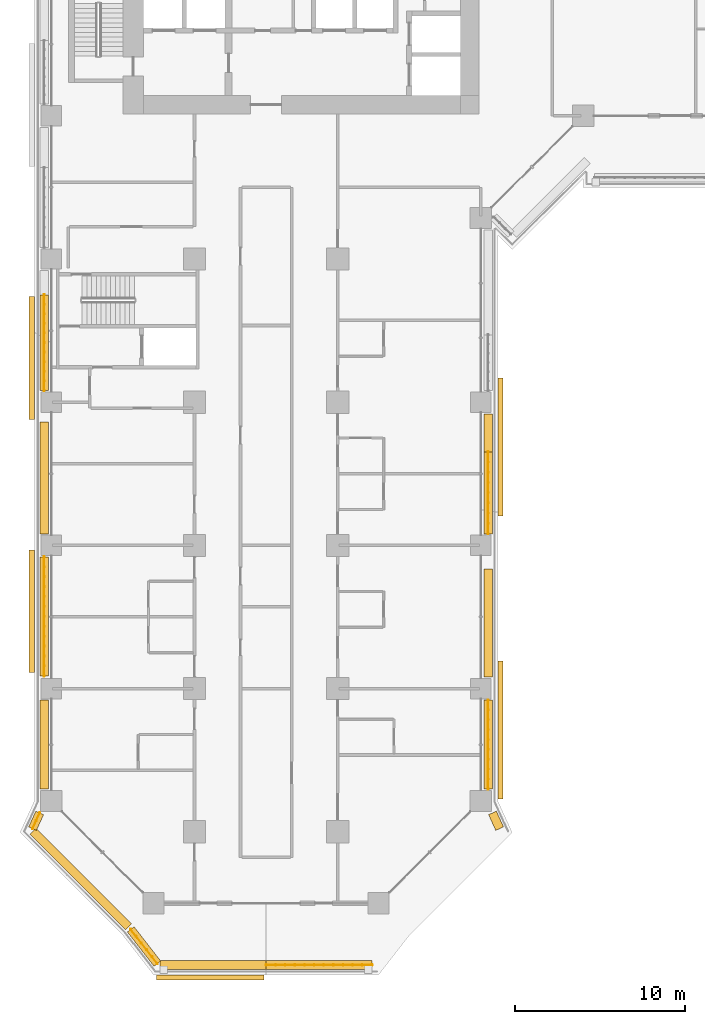
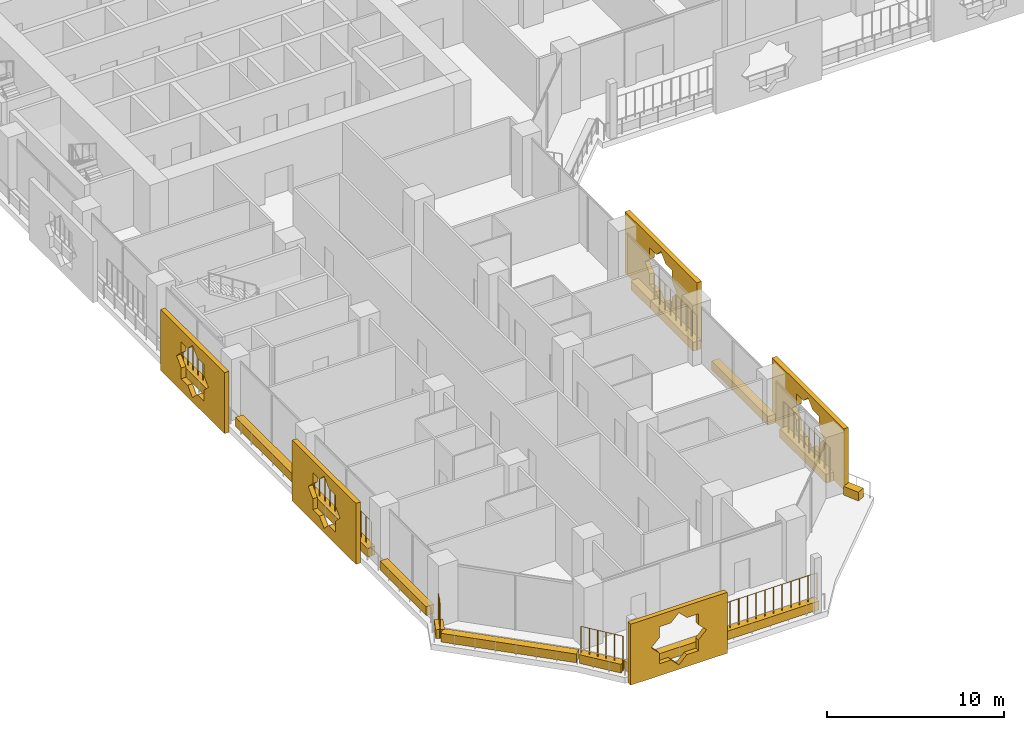
# One storey, part 21 of 28: 19 coverings, 7 railings.
"""IFC4 building model written with IfcOpenShell, lengths in metres."""

from ifc_helpers import new_model, si_unit, direction, frame, origin, origin_2d, place, context, subcontext, project, spatial, polyline, rectangle, circle, outline, extrude, material, material_profile, profile_set, type_object, element, save


model = new_model("IFC4")

# Units and contexts
model_context = context("Model", 3, precision=1e-05, world=origin(), true_north=direction((0.0, 1.0)))
body_context = subcontext(model_context, "Body", "Model", "MODEL_VIEW")
ifc_project = project(units=[si_unit("LENGTHUNIT", "METRE"), si_unit("AREAUNIT", "SQUARE_METRE"), si_unit("VOLUMEUNIT", "CUBIC_METRE"), si_unit("PLANEANGLEUNIT", "RADIAN"), si_unit("MASSUNIT", "GRAM", prefix="KILO")], contexts=[model_context])

# Site, building, storey
site_placement = place(None, origin())
site = spatial("IfcSite", under=ifc_project, at=site_placement, CompositionType="ELEMENT")
building_placement = place(site_placement, origin())
building = spatial("IfcBuilding", under=site, at=building_placement, Name="Kawkab Arch Medical Tower", CompositionType="ELEMENT")
storey_placement = place(building_placement, frame((0.0, 0.0, 72.800048828125)))
storey = spatial("IfcBuildingStorey", under=building, at=storey_placement, Name="L16", CompositionType="ELEMENT", Elevation=72.800048828125)

# Coverings
ifc_material_1 = material(Name="Bronze anodised aluminium mashrabiya panel, eight-point star pattern", Category="aluminium")
ifc_material_profile_1 = material_profile(ifc_material_1, outline(polyline([(-3.14990234375, -2.10009765625), (3.14990234375, -2.10009765625), (3.14990234375, 2.10009765625), (-3.14990234375, 2.10009765625), (-3.14990234375, -2.10009765625)]), holes=[polyline([(1.800048828125, 0.0), (1.272705078125, 0.527099609375), (1.272705078125, 1.272705078125), (0.527099609375, 1.272705078125), (0.0, 1.800048828125), (-0.527099609375, 1.272705078125), (-1.272705078125, 1.272705078125), (-1.272705078125, 0.527099609375), (-1.800048828125, 0.0), (-1.272705078125, -0.527099609375), (-1.272705078125, -1.272705078125), (-0.527099609375, -1.272705078125), (0.0, -1.800048828125), (0.527099609375, -1.272705078125), (1.272705078125, -1.272705078125), (1.272705078125, -0.527099609375), (1.800048828125, 0.0)])]), Name="Mashrabiya panel 6300x4200")
ifc_profile_set_1 = profile_set([ifc_material_profile_1], Name="Bronze anodised aluminium mashrabiya panel, eight-point star pattern")
covering_type_1 = type_object("IfcCoveringType", Name="Mashrabiya panel 6300 x 4200", PredefinedType="USERDEFINED", material=ifc_profile_set_1)
covering_1_placement = place(storey_placement, frame((9.322509765625, -75.60009765625, 1.699951171875), z_axis=(0.0, -1.0, 0.0), x_axis=(1.0, 0.0, 0.0)))
element("IfcCovering", 1, at=covering_1_placement, inside=storey, type_object=covering_type_1, Name="Mashrabiya panel L16.LOG-01-01.1", ObjectType="SCREEN", PredefinedType="USERDEFINED", context=body_context, shape_type="SweptSolid", body=[
    extrude(outline(polyline([(-3.14990234375, -2.10009765625), (3.14990234375, -2.10009765625), (3.14990234375, 2.10009765625), (-3.14990234375, 2.10009765625), (-3.14990234375, -2.10009765625)]), holes=[polyline([(1.800048828125, 0.0), (1.272705078125, 0.527099609375), (1.272705078125, 1.272705078125), (0.527099609375, 1.272705078125), (0.0, 1.800048828125), (-0.527099609375, 1.272705078125), (-1.272705078125, 1.272705078125), (-1.272705078125, 0.527099609375), (-1.800048828125, 0.0), (-1.272705078125, -0.527099609375), (-1.272705078125, -1.272705078125), (-0.527099609375, -1.272705078125), (0.0, -1.800048828125), (0.527099609375, -1.272705078125), (1.272705078125, -1.272705078125), (1.272705078125, -0.527099609375), (1.800048828125, 0.0)])]), origin(), (0.0, 0.0, 1.0), 0.2998046875),
])
ifc_material_2 = material(Name="Bronze anodised aluminium mashrabiya panel, eight-point star pattern", Category="aluminium")
ifc_material_profile_2 = material_profile(ifc_material_2, outline(polyline([(-3.60009765625, -2.10009765625), (3.60009765625, -2.10009765625), (3.60009765625, 2.10009765625), (-3.60009765625, 2.10009765625), (-3.60009765625, -2.10009765625)]), holes=[polyline([(1.800048828125, 0.0), (1.272705078125, 0.527099609375), (1.272705078125, 1.272705078125), (0.527099609375, 1.272705078125), (0.0, 1.800048828125), (-0.527099609375, 1.272705078125), (-1.272705078125, 1.272705078125), (-1.272705078125, 0.527099609375), (-1.800048828125, 0.0), (-1.272705078125, -0.527099609375), (-1.272705078125, -1.272705078125), (-0.527099609375, -1.272705078125), (0.0, -1.800048828125), (0.527099609375, -1.272705078125), (1.272705078125, -1.272705078125), (1.272705078125, -0.527099609375), (1.800048828125, 0.0)])]), Name="Mashrabiya panel 7200x4200")
ifc_profile_set_2 = profile_set([ifc_material_profile_2], Name="Bronze anodised aluminium mashrabiya panel, eight-point star pattern")
covering_type_2 = type_object("IfcCoveringType", Name="Mashrabiya panel 7200 x 4200", PredefinedType="USERDEFINED", material=ifc_profile_set_2)
for number, where, z_axis, x_axis, name in (
    (2, (-1.0, -54.263916015625, 1.699951171875), (-1.0, 0.0, 0.0), (0.0, -1.0, 0.0), "Mashrabiya panel L16.LOG-01-01.2"),
    (3, (-1.0, -39.412841796875, 1.699951171875), (-1.0, 0.0, 0.0), (0.0, -1.0, 0.0), "Mashrabiya panel L16.LOG-01-01.3"),
):
    element("IfcCovering", number, at=place(storey_placement, frame(where, z_axis=z_axis, x_axis=x_axis)), inside=storey, type_object=covering_type_2, Name=name, ObjectType="SCREEN", PredefinedType="USERDEFINED", context=body_context, shape_type="SweptSolid", body=[
        extrude(outline(polyline([(-3.60009765625, -2.10009765625), (3.60009765625, -2.10009765625), (3.60009765625, 2.10009765625), (-3.60009765625, 2.10009765625), (-3.60009765625, -2.10009765625)]), holes=[polyline([(1.800048828125, 0.0), (1.272705078125, 0.527099609375), (1.272705078125, 1.272705078125), (0.527099609375, 1.272705078125), (0.0, 1.800048828125), (-0.527099609375, 1.272705078125), (-1.272705078125, 1.272705078125), (-1.272705078125, 0.527099609375), (-1.800048828125, 0.0), (-1.272705078125, -0.527099609375), (-1.272705078125, -1.272705078125), (-0.527099609375, -1.272705078125), (0.0, -1.800048828125), (0.527099609375, -1.272705078125), (1.272705078125, -1.272705078125), (1.272705078125, -0.527099609375), (1.800048828125, 0.0)])]), origin(), (0.0, 0.0, 1.0), 0.300048828125),
    ])
ifc_material_3 = material(Name="Bronze anodised aluminium mashrabiya panel, eight-point star pattern", Category="aluminium")
ifc_material_profile_3 = material_profile(ifc_material_3, outline(polyline([(-4.050048828125, -2.10009765625), (4.050048828125, -2.10009765625), (4.050048828125, 2.10009765625), (-4.050048828125, 2.10009765625), (-4.050048828125, -2.10009765625)]), holes=[polyline([(1.800048828125, 0.0), (1.272705078125, 0.527099609375), (1.272705078125, 1.272705078125), (0.527099609375, 1.272705078125), (0.0, 1.800048828125), (-0.527099609375, 1.272705078125), (-1.272705078125, 1.272705078125), (-1.272705078125, 0.527099609375), (-1.800048828125, 0.0), (-1.272705078125, -0.527099609375), (-1.272705078125, -1.272705078125), (-0.527099609375, -1.272705078125), (0.0, -1.800048828125), (0.527099609375, -1.272705078125), (1.272705078125, -1.272705078125), (1.272705078125, -0.527099609375), (1.800048828125, 0.0)])]), Name="Mashrabiya panel 8100x4200")
ifc_profile_set_3 = profile_set([ifc_material_profile_3], Name="Bronze anodised aluminium mashrabiya panel, eight-point star pattern")
covering_type_3 = type_object("IfcCoveringType", Name="Mashrabiya panel 8100 x 4200", PredefinedType="USERDEFINED", material=ifc_profile_set_3)
for number, where, z_axis, x_axis, name in (
    (4, (26.199951171875, -44.639892578125, 1.699951171875), (1.0, 0.0, 0.0), (0.0, 1.0, 0.0), "Mashrabiya panel L16.LOG-01-01.14"),
    (5, (26.199951171875, -61.229736328125, 1.699951171875), (1.0, 0.0, 0.0), (0.0, 1.0, 0.0), "Mashrabiya panel L16.LOG-01-01.15"),
):
    element("IfcCovering", number, at=place(storey_placement, frame(where, z_axis=z_axis, x_axis=x_axis)), inside=storey, type_object=covering_type_3, Name=name, ObjectType="SCREEN", PredefinedType="USERDEFINED", context=body_context, shape_type="SweptSolid", body=[
        extrude(outline(polyline([(-4.050048828125, -2.10009765625), (4.050048828125, -2.10009765625), (4.050048828125, 2.10009765625), (-4.050048828125, 2.10009765625), (-4.050048828125, -2.10009765625)]), holes=[polyline([(1.800048828125, 0.0), (1.272705078125, 0.527099609375), (1.272705078125, 1.272705078125), (0.527099609375, 1.272705078125), (0.0, 1.800048828125), (-0.527099609375, 1.272705078125), (-1.272705078125, 1.272705078125), (-1.272705078125, 0.527099609375), (-1.800048828125, 0.0), (-1.272705078125, -0.527099609375), (-1.272705078125, -1.272705078125), (-0.527099609375, -1.272705078125), (0.0, -1.800048828125), (0.527099609375, -1.272705078125), (1.272705078125, -1.272705078125), (1.272705078125, -0.527099609375), (1.800048828125, 0.0)])]), origin(), (0.0, 0.0, 1.0), 0.300048828125),
    ])
ifc_material_4 = material(Name="Planting soil in a precast trough", Category="concrete")
ifc_material_profile_4 = material_profile(ifc_material_4, rectangle(XDim=0.5, YDim=0.60009765625, at=origin_2d()), Name="Trough 500x600")
ifc_profile_set_4 = profile_set([ifc_material_profile_4], Name="Planting soil in a precast trough")
covering_type_4 = type_object("IfcCoveringType", Name="Planter trough 500 x 600", PredefinedType="USERDEFINED", material=ifc_profile_set_4)
covering_2_placement = place(storey_placement, frame((18.81591796875, -75.02001953125, 0.300048828125), z_axis=(-1.0, 0.0, 0.0), x_axis=(0.0, -1.0, 0.0)))
element("IfcCovering", 6, at=covering_2_placement, inside=storey, type_object=covering_type_4, Name="Planter L16.LOG-01-01.1", ObjectType="PLANTER", PredefinedType="USERDEFINED", context=body_context, shape_type="SweptSolid", body=[
    extrude(rectangle(XDim=0.5, YDim=0.60009765625, at=origin_2d()), origin(), (0.0, 0.0, 1.0), 6.2158203125),
])
covering_3_placement = place(storey_placement, frame((12.60009765625, -75.02001953125, 0.300048828125), z_axis=(-1.0, 0.0, 0.0), x_axis=(0.0, -1.0, 0.0)))
element("IfcCovering", 7, at=covering_3_placement, inside=storey, type_object=covering_type_4, Name="Planter L16.LOG-01-01.2", ObjectType="PLANTER", PredefinedType="USERDEFINED", context=body_context, shape_type="SweptSolid", body=[
    extrude(rectangle(XDim=0.5, YDim=0.60009765625, at=origin_2d()), origin(), (0.0, 0.0, 1.0), 6.216064453125),
])
covering_4_placement = place(storey_placement, frame((6.221923828125, -74.94091796875, 0.300048828125), z_axis=(-0.61404021143, 0.789274742246, 0.0), x_axis=(-0.789274742246, -0.61404021143, 0.0)))
element("IfcCovering", 8, at=covering_4_placement, inside=storey, type_object=covering_type_4, Name="Planter L16.LOG-01-01.3", ObjectType="PLANTER", PredefinedType="USERDEFINED", context=body_context, shape_type="SweptSolid", body=[
    extrude(rectangle(XDim=0.5, YDim=0.60009765625, at=origin_2d()), origin(), (0.0, 0.0, 1.0), 2.54541015625),
])
covering_5_placement = place(storey_placement, frame((4.527099609375, -72.782958984375, 0.300048828125), z_axis=(-0.70712219479, 0.707091367247, 0.0), x_axis=(-0.707091367247, -0.70712219479, 0.0)))
element("IfcCovering", 9, at=covering_5_placement, inside=storey, type_object=covering_type_4, Name="Planter L16.LOG-01-01.4", ObjectType="PLANTER", PredefinedType="USERDEFINED", context=body_context, shape_type="SweptSolid", body=[
    extrude(rectangle(XDim=0.5, YDim=0.60009765625, at=origin_2d()), origin(), (0.0, 0.0, 1.0), 7.919677734375),
])
covering_6_placement = place(storey_placement, frame((-1.10205078125, -67.02099609375, 0.300048828125), z_axis=(0.415071571878, 0.909788761317, 0.0), x_axis=(-0.909788761317, 0.415071571878, 0.0)))
element("IfcCovering", 10, at=covering_6_placement, inside=storey, type_object=covering_type_4, Name="Planter L16.LOG-01-01.5", ObjectType="PLANTER", PredefinedType="USERDEFINED", context=body_context, shape_type="SweptSolid", body=[
    extrude(rectangle(XDim=0.5, YDim=0.60009765625, at=origin_2d()), origin(), (0.0, 0.0, 1.0), 1.0146484375),
])
covering_7_placement = place(storey_placement, frame((-0.419921875, -64.695068359375, 0.300048828125), z_axis=(0.0, 1.0, 0.0), x_axis=(-1.0, 0.0, 0.0)))
element("IfcCovering", 11, at=covering_7_placement, inside=storey, type_object=covering_type_4, Name="Planter L16.LOG-01-01.6", ObjectType="PLANTER", PredefinedType="USERDEFINED", context=body_context, shape_type="SweptSolid", body=[
    extrude(rectangle(XDim=0.5, YDim=0.60009765625, at=origin_2d()), origin(), (0.0, 0.0, 1.0), 5.215087890625),
])
covering_8_placement = place(storey_placement, frame((-0.419921875, -58.069091796875, 0.300048828125), z_axis=(0.0, 1.0, 0.0), x_axis=(-1.0, 0.0, 0.0)))
element("IfcCovering", 12, at=covering_8_placement, inside=storey, type_object=covering_type_4, Name="Planter L16.LOG-01-01.7", ObjectType="PLANTER", PredefinedType="USERDEFINED", context=body_context, shape_type="SweptSolid", body=[
    extrude(rectangle(XDim=0.5, YDim=0.60009765625, at=origin_2d()), origin(), (0.0, 0.0, 1.0), 6.989013671875),
])
covering_9_placement = place(storey_placement, frame((-0.419921875, -49.719970703125, 0.300048828125), z_axis=(0.0, 1.0, 0.0), x_axis=(-1.0, 0.0, 0.0)))
element("IfcCovering", 13, at=covering_9_placement, inside=storey, type_object=covering_type_4, Name="Planter L16.LOG-01-01.8", ObjectType="PLANTER", PredefinedType="USERDEFINED", context=body_context, shape_type="SweptSolid", body=[
    extrude(rectangle(XDim=0.5, YDim=0.60009765625, at=origin_2d()), origin(), (0.0, 0.0, 1.0), 6.56396484375),
])
covering_10_placement = place(storey_placement, frame((-0.419921875, -41.320068359375, 0.300048828125), z_axis=(0.0, 1.0, 0.0), x_axis=(-1.0, 0.0, 0.0)))
element("IfcCovering", 14, at=covering_10_placement, inside=storey, type_object=covering_type_4, Name="Planter L16.LOG-01-01.9", ObjectType="PLANTER", PredefinedType="USERDEFINED", context=body_context, shape_type="SweptSolid", body=[
    extrude(rectangle(XDim=0.5, YDim=0.60009765625, at=origin_2d()), origin(), (0.0, 0.0, 1.0), 5.6201171875),
])
covering_11_placement = place(storey_placement, frame((25.6201171875, -42.679931640625, 0.300048828125), z_axis=(0.0, -1.0, 0.0), x_axis=(1.0, 0.0, 0.0)))
element("IfcCovering", 15, at=covering_11_placement, inside=storey, type_object=covering_type_4, Name="Planter L16.LOG-01-01.46", ObjectType="PLANTER", PredefinedType="USERDEFINED", context=body_context, shape_type="SweptSolid", body=[
    extrude(rectangle(XDim=0.5, YDim=0.60009765625, at=origin_2d()), origin(), (0.0, 0.0, 1.0), 2.240966796875),
])
covering_12_placement = place(storey_placement, frame((25.6201171875, -44.9208984375, 0.300048828125), z_axis=(0.0, -1.0, 0.0), x_axis=(1.0, 0.0, 0.0)))
element("IfcCovering", 16, at=covering_12_placement, inside=storey, type_object=covering_type_4, Name="Planter L16.LOG-01-01.47", ObjectType="PLANTER", PredefinedType="USERDEFINED", context=body_context, shape_type="SweptSolid", body=[
    extrude(rectangle(XDim=0.5, YDim=0.60009765625, at=origin_2d()), origin(), (0.0, 0.0, 1.0), 4.799072265625),
])
covering_13_placement = place(storey_placement, frame((25.6201171875, -51.7890625, 0.300048828125), z_axis=(0.0, -1.0, 0.0), x_axis=(1.0, 0.0, 0.0)))
element("IfcCovering", 17, at=covering_13_placement, inside=storey, type_object=covering_type_4, Name="Planter L16.LOG-01-01.48", ObjectType="PLANTER", PredefinedType="USERDEFINED", context=body_context, shape_type="SweptSolid", body=[
    extrude(rectangle(XDim=0.5, YDim=0.60009765625, at=origin_2d()), origin(), (0.0, 0.0, 1.0), 6.3310546875),
])
covering_14_placement = place(storey_placement, frame((25.6201171875, -59.47998046875, 0.300048828125), z_axis=(0.0, -1.0, 0.0), x_axis=(1.0, 0.0, 0.0)))
element("IfcCovering", 18, at=covering_14_placement, inside=storey, type_object=covering_type_4, Name="Planter L16.LOG-01-01.49", ObjectType="PLANTER", PredefinedType="USERDEFINED", context=body_context, shape_type="SweptSolid", body=[
    extrude(rectangle(XDim=0.5, YDim=0.60009765625, at=origin_2d()), origin(), (0.0, 0.0, 1.0), 5.215087890625),
])
covering_15_placement = place(storey_placement, frame((25.881103515625, -66.097900390625, 0.300048828125), z_axis=(0.414872376122, -0.909879613757, 0.0), x_axis=(0.909879613757, 0.414872376122, 0.0)))
element("IfcCovering", 19, at=covering_15_placement, inside=storey, type_object=covering_type_4, Name="Planter L16.LOG-01-01.50", ObjectType="PLANTER", PredefinedType="USERDEFINED", context=body_context, shape_type="SweptSolid", body=[
    extrude(rectangle(XDim=0.5, YDim=0.60009765625, at=origin_2d()), origin(), (0.0, 0.0, 1.0), 1.014404296875),
])

# Railings
ifc_material_5 = material(Name="Bronze anodised aluminium trellis for climbing plants", Category="aluminium")
railing_type = type_object("IfcRailingType", Name="Planting trellis 2400", PredefinedType="USERDEFINED", material=ifc_material_5)
railing_1_placement = place(storey_placement, frame((18.81591796875, -75.02001953125, 0.0)))
element("IfcRailing", 20, at=railing_1_placement, inside=storey, type_object=railing_type, Name="Planting trellis L16.LOG-01-01.1", ObjectType="TRELLIS", PredefinedType="USERDEFINED", context=body_context, shape_type="SweptSolid", body=[
    extrude(circle(Radius=0.01513671875, at=origin_2d()), frame((0.0, 0.0, 2.384765625), z_axis=(-1.0, 0.0, 0.0), x_axis=(0.0, -1.0, 0.0)), (0.0, 0.0, 1.0), 6.2158203125),
    extrude(circle(Radius=0.030029296875, at=origin_2d()), origin(), (0.0, 0.0, 1.0), 2.369873046875),
    extrude(circle(Radius=0.030029296875, at=origin_2d()), frame((-0.565185546875, 0.0, 0.0)), (0.0, 0.0, 1.0), 2.369873046875),
    extrude(circle(Radius=0.030029296875, at=origin_2d()), frame((-1.130126953125, 0.0, 0.0)), (0.0, 0.0, 1.0), 2.369873046875),
    extrude(circle(Radius=0.030029296875, at=origin_2d()), frame((-1.6953125, 0.0, 0.0)), (0.0, 0.0, 1.0), 2.369873046875),
    extrude(circle(Radius=0.030029296875, at=origin_2d()), frame((-2.26025390625, 0.0, 0.0)), (0.0, 0.0, 1.0), 2.369873046875),
    extrude(circle(Radius=0.030029296875, at=origin_2d()), frame((-2.825439453125, 0.0, 0.0)), (0.0, 0.0, 1.0), 2.369873046875),
    extrude(circle(Radius=0.030029296875, at=origin_2d()), frame((-3.390380859375, 0.0, 0.0)), (0.0, 0.0, 1.0), 2.369873046875),
    extrude(circle(Radius=0.030029296875, at=origin_2d()), frame((-3.95556640625, 0.0, 0.0)), (0.0, 0.0, 1.0), 2.369873046875),
    extrude(circle(Radius=0.030029296875, at=origin_2d()), frame((-4.5205078125, 0.0, 0.0)), (0.0, 0.0, 1.0), 2.369873046875),
    extrude(circle(Radius=0.030029296875, at=origin_2d()), frame((-5.085693359375, 0.0, 0.0)), (0.0, 0.0, 1.0), 2.369873046875),
    extrude(circle(Radius=0.030029296875, at=origin_2d()), frame((-5.650634765625, 0.0, 0.0)), (0.0, 0.0, 1.0), 2.369873046875),
    extrude(circle(Radius=0.030029296875, at=origin_2d()), frame((-6.2158203125, 0.0, 0.0)), (0.0, 0.0, 1.0), 2.369873046875),
])
railing_2_placement = place(storey_placement, frame((6.221923828125, -74.94091796875, 0.0)))
element("IfcRailing", 21, at=railing_2_placement, inside=storey, type_object=railing_type, Name="Planting trellis L16.LOG-01-01.3", ObjectType="TRELLIS", PredefinedType="USERDEFINED", context=body_context, shape_type="SweptSolid", body=[
    extrude(circle(Radius=0.01513671875, at=origin_2d()), frame((0.0, 0.0, 2.384765625), z_axis=(-0.61404021143, 0.789274742246, 0.0), x_axis=(-0.789274742246, -0.61404021143, 0.0)), (0.0, 0.0, 1.0), 2.54541015625),
    extrude(circle(Radius=0.030029296875, at=origin_2d()), origin(), (0.0, 0.0, 1.0), 2.369873046875),
    extrude(circle(Radius=0.030029296875, at=origin_2d()), frame((-0.3125, 0.40185546875, 0.0)), (0.0, 0.0, 1.0), 2.369873046875),
    extrude(circle(Radius=0.030029296875, at=origin_2d()), frame((-0.625244140625, 0.8037109375, 0.0)), (0.0, 0.0, 1.0), 2.369873046875),
    extrude(circle(Radius=0.030029296875, at=origin_2d()), frame((-0.937744140625, 1.205322265625, 0.0)), (0.0, 0.0, 1.0), 2.369873046875),
    extrude(circle(Radius=0.030029296875, at=origin_2d()), frame((-1.25048828125, 1.607177734375, 0.0)), (0.0, 0.0, 1.0), 2.369873046875),
    extrude(circle(Radius=0.030029296875, at=origin_2d()), frame((-1.56298828125, 2.009033203125, 0.0)), (0.0, 0.0, 1.0), 2.369873046875),
])
railing_3_placement = place(storey_placement, frame((-1.10205078125, -67.02099609375, 0.0)))
element("IfcRailing", 22, at=railing_3_placement, inside=storey, type_object=railing_type, Name="Planting trellis L16.LOG-01-01.5", ObjectType="TRELLIS", PredefinedType="USERDEFINED", context=body_context, shape_type="SweptSolid", body=[
    extrude(circle(Radius=0.01513671875, at=origin_2d()), frame((0.0, 0.0, 2.384765625), z_axis=(0.415071571878, 0.909788761317, 0.0), x_axis=(-0.909788761317, 0.415071571878, 0.0)), (0.0, 0.0, 1.0), 1.0146484375),
    extrude(circle(Radius=0.030029296875, at=origin_2d()), origin(), (0.0, 0.0, 1.0), 2.369873046875),
    extrude(circle(Radius=0.030029296875, at=origin_2d()), frame((0.21044921875, 0.46142578125, 0.0)), (0.0, 0.0, 1.0), 2.369873046875),
    extrude(circle(Radius=0.030029296875, at=origin_2d()), frame((0.421142578125, 0.923095703125, 0.0)), (0.0, 0.0, 1.0), 2.369873046875),
])
railing_4_placement = place(storey_placement, frame((-0.419921875, -58.069091796875, 0.0)))
element("IfcRailing", 23, at=railing_4_placement, inside=storey, type_object=railing_type, Name="Planting trellis L16.LOG-01-01.7", ObjectType="TRELLIS", PredefinedType="USERDEFINED", context=body_context, shape_type="SweptSolid", body=[
    extrude(circle(Radius=0.01513671875, at=origin_2d()), frame((0.0, 0.0, 2.384765625), z_axis=(0.0, 1.0, 0.0), x_axis=(-1.0, 0.0, 0.0)), (0.0, 0.0, 1.0), 6.989013671875),
    extrude(circle(Radius=0.030029296875, at=origin_2d()), origin(), (0.0, 0.0, 1.0), 2.369873046875),
    extrude(circle(Radius=0.030029296875, at=origin_2d()), frame((0.0, 0.58251953125, 0.0)), (0.0, 0.0, 1.0), 2.369873046875),
    extrude(circle(Radius=0.030029296875, at=origin_2d()), frame((0.0, 1.164794921875, 0.0)), (0.0, 0.0, 1.0), 2.369873046875),
    extrude(circle(Radius=0.030029296875, at=origin_2d()), frame((0.0, 1.747314453125, 0.0)), (0.0, 0.0, 1.0), 2.369873046875),
    extrude(circle(Radius=0.030029296875, at=origin_2d()), frame((0.0, 2.32958984375, 0.0)), (0.0, 0.0, 1.0), 2.369873046875),
    extrude(circle(Radius=0.030029296875, at=origin_2d()), frame((0.0, 2.912109375, 0.0)), (0.0, 0.0, 1.0), 2.369873046875),
    extrude(circle(Radius=0.030029296875, at=origin_2d()), frame((0.0, 3.49462890625, 0.0)), (0.0, 0.0, 1.0), 2.369873046875),
    extrude(circle(Radius=0.030029296875, at=origin_2d()), frame((0.0, 4.076904296875, 0.0)), (0.0, 0.0, 1.0), 2.369873046875),
    extrude(circle(Radius=0.030029296875, at=origin_2d()), frame((0.0, 4.659423828125, 0.0)), (0.0, 0.0, 1.0), 2.369873046875),
    extrude(circle(Radius=0.030029296875, at=origin_2d()), frame((0.0, 5.24169921875, 0.0)), (0.0, 0.0, 1.0), 2.369873046875),
    extrude(circle(Radius=0.030029296875, at=origin_2d()), frame((0.0, 5.82421875, 0.0)), (0.0, 0.0, 1.0), 2.369873046875),
    extrude(circle(Radius=0.030029296875, at=origin_2d()), frame((0.0, 6.406494140625, 0.0)), (0.0, 0.0, 1.0), 2.369873046875),
    extrude(circle(Radius=0.030029296875, at=origin_2d()), frame((0.0, 6.989013671875, 0.0)), (0.0, 0.0, 1.0), 2.369873046875),
])
railing_5_placement = place(storey_placement, frame((-0.419921875, -41.320068359375, 0.0)))
element("IfcRailing", 24, at=railing_5_placement, inside=storey, type_object=railing_type, Name="Planting trellis L16.LOG-01-01.9", ObjectType="TRELLIS", PredefinedType="USERDEFINED", context=body_context, shape_type="SweptSolid", body=[
    extrude(circle(Radius=0.01513671875, at=origin_2d()), frame((0.0, 0.0, 2.384765625), z_axis=(0.0, 1.0, 0.0), x_axis=(-1.0, 0.0, 0.0)), (0.0, 0.0, 1.0), 5.6201171875),
    extrude(circle(Radius=0.030029296875, at=origin_2d()), origin(), (0.0, 0.0, 1.0), 2.369873046875),
    extrude(circle(Radius=0.030029296875, at=origin_2d()), frame((0.0, 0.56201171875, 0.0)), (0.0, 0.0, 1.0), 2.369873046875),
    extrude(circle(Radius=0.030029296875, at=origin_2d()), frame((0.0, 1.1240234375, 0.0)), (0.0, 0.0, 1.0), 2.369873046875),
    extrude(circle(Radius=0.030029296875, at=origin_2d()), frame((0.0, 1.68603515625, 0.0)), (0.0, 0.0, 1.0), 2.369873046875),
    extrude(circle(Radius=0.030029296875, at=origin_2d()), frame((0.0, 2.248046875, 0.0)), (0.0, 0.0, 1.0), 2.369873046875),
    extrude(circle(Radius=0.030029296875, at=origin_2d()), frame((0.0, 2.81005859375, 0.0)), (0.0, 0.0, 1.0), 2.369873046875),
    extrude(circle(Radius=0.030029296875, at=origin_2d()), frame((0.0, 3.3720703125, 0.0)), (0.0, 0.0, 1.0), 2.369873046875),
    extrude(circle(Radius=0.030029296875, at=origin_2d()), frame((0.0, 3.93408203125, 0.0)), (0.0, 0.0, 1.0), 2.369873046875),
    extrude(circle(Radius=0.030029296875, at=origin_2d()), frame((0.0, 4.49609375, 0.0)), (0.0, 0.0, 1.0), 2.369873046875),
    extrude(circle(Radius=0.030029296875, at=origin_2d()), frame((0.0, 5.05810546875, 0.0)), (0.0, 0.0, 1.0), 2.369873046875),
    extrude(circle(Radius=0.030029296875, at=origin_2d()), frame((0.0, 5.6201171875, 0.0)), (0.0, 0.0, 1.0), 2.369873046875),
])
railing_6_placement = place(storey_placement, frame((25.6201171875, -44.9208984375, 0.0)))
element("IfcRailing", 25, at=railing_6_placement, inside=storey, type_object=railing_type, Name="Planting trellis L16.LOG-01-01.47", ObjectType="TRELLIS", PredefinedType="USERDEFINED", context=body_context, shape_type="SweptSolid", body=[
    extrude(circle(Radius=0.01513671875, at=origin_2d()), frame((0.0, 0.0, 2.384765625), z_axis=(0.0, -1.0, 0.0), x_axis=(1.0, 0.0, 0.0)), (0.0, 0.0, 1.0), 4.799072265625),
    extrude(circle(Radius=0.030029296875, at=origin_2d()), origin(), (0.0, 0.0, 1.0), 2.369873046875),
    extrude(circle(Radius=0.030029296875, at=origin_2d()), frame((0.0, -0.599853515625, 0.0)), (0.0, 0.0, 1.0), 2.369873046875),
    extrude(circle(Radius=0.030029296875, at=origin_2d()), frame((0.0, -1.19970703125, 0.0)), (0.0, 0.0, 1.0), 2.369873046875),
    extrude(circle(Radius=0.030029296875, at=origin_2d()), frame((0.0, -1.799560546875, 0.0)), (0.0, 0.0, 1.0), 2.369873046875),
    extrude(circle(Radius=0.030029296875, at=origin_2d()), frame((0.0, -2.3994140625, 0.0)), (0.0, 0.0, 1.0), 2.369873046875),
    extrude(circle(Radius=0.030029296875, at=origin_2d()), frame((0.0, -2.99951171875, 0.0)), (0.0, 0.0, 1.0), 2.369873046875),
    extrude(circle(Radius=0.030029296875, at=origin_2d()), frame((0.0, -3.599365234375, 0.0)), (0.0, 0.0, 1.0), 2.369873046875),
    extrude(circle(Radius=0.030029296875, at=origin_2d()), frame((0.0, -4.19921875, 0.0)), (0.0, 0.0, 1.0), 2.369873046875),
    extrude(circle(Radius=0.030029296875, at=origin_2d()), frame((0.0, -4.799072265625, 0.0)), (0.0, 0.0, 1.0), 2.369873046875),
])
railing_7_placement = place(storey_placement, frame((25.6201171875, -59.47998046875, 0.0)))
element("IfcRailing", 26, at=railing_7_placement, inside=storey, type_object=railing_type, Name="Planting trellis L16.LOG-01-01.49", ObjectType="TRELLIS", PredefinedType="USERDEFINED", context=body_context, shape_type="SweptSolid", body=[
    extrude(circle(Radius=0.01513671875, at=origin_2d()), frame((0.0, 0.0, 2.384765625), z_axis=(0.0, -1.0, 0.0), x_axis=(1.0, 0.0, 0.0)), (0.0, 0.0, 1.0), 5.215087890625),
    extrude(circle(Radius=0.030029296875, at=origin_2d()), origin(), (0.0, 0.0, 1.0), 2.369873046875),
    extrude(circle(Radius=0.030029296875, at=origin_2d()), frame((0.0, -0.579345703125, 0.0)), (0.0, 0.0, 1.0), 2.369873046875),
    extrude(circle(Radius=0.030029296875, at=origin_2d()), frame((0.0, -1.158935546875, 0.0)), (0.0, 0.0, 1.0), 2.369873046875),
    extrude(circle(Radius=0.030029296875, at=origin_2d()), frame((0.0, -1.73828125, 0.0)), (0.0, 0.0, 1.0), 2.369873046875),
    extrude(circle(Radius=0.030029296875, at=origin_2d()), frame((0.0, -2.31787109375, 0.0)), (0.0, 0.0, 1.0), 2.369873046875),
    extrude(circle(Radius=0.030029296875, at=origin_2d()), frame((0.0, -2.897216796875, 0.0)), (0.0, 0.0, 1.0), 2.369873046875),
    extrude(circle(Radius=0.030029296875, at=origin_2d()), frame((0.0, -3.476806640625, 0.0)), (0.0, 0.0, 1.0), 2.369873046875),
    extrude(circle(Radius=0.030029296875, at=origin_2d()), frame((0.0, -4.05615234375, 0.0)), (0.0, 0.0, 1.0), 2.369873046875),
    extrude(circle(Radius=0.030029296875, at=origin_2d()), frame((0.0, -4.6357421875, 0.0)), (0.0, 0.0, 1.0), 2.369873046875),
    extrude(circle(Radius=0.030029296875, at=origin_2d()), frame((0.0, -5.215087890625, 0.0)), (0.0, 0.0, 1.0), 2.369873046875),
])

save(model, "model.ifc")
